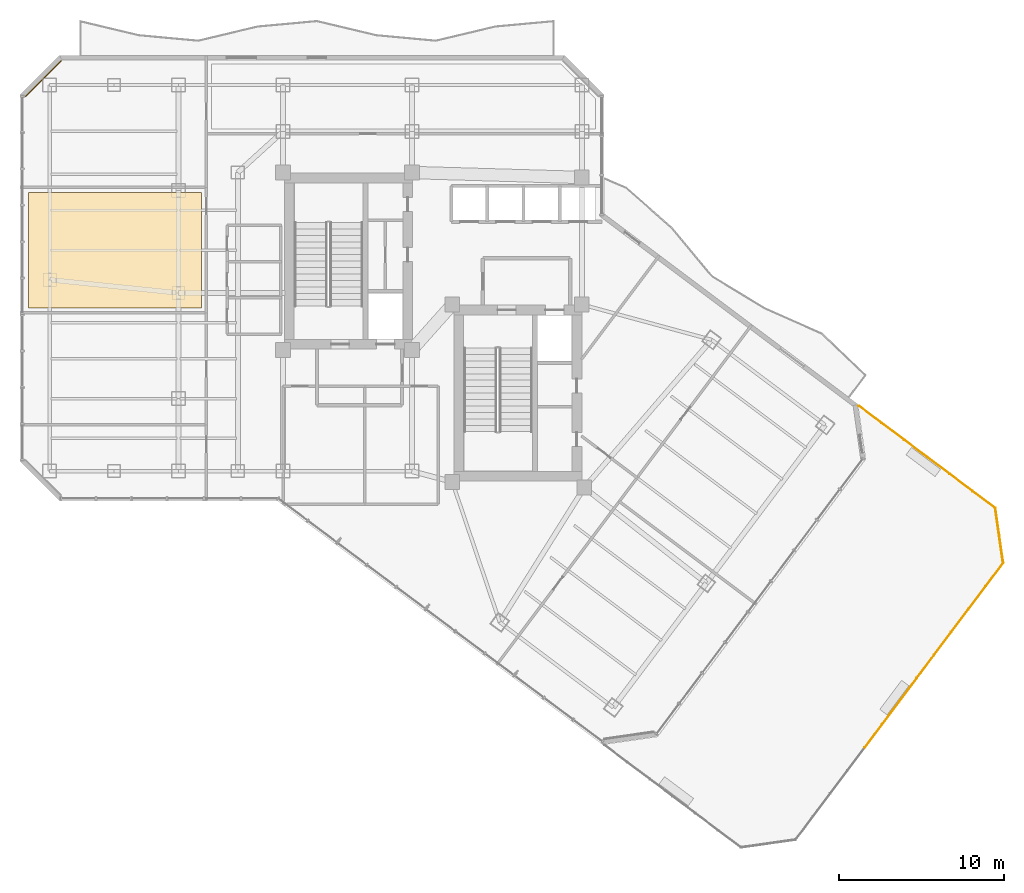
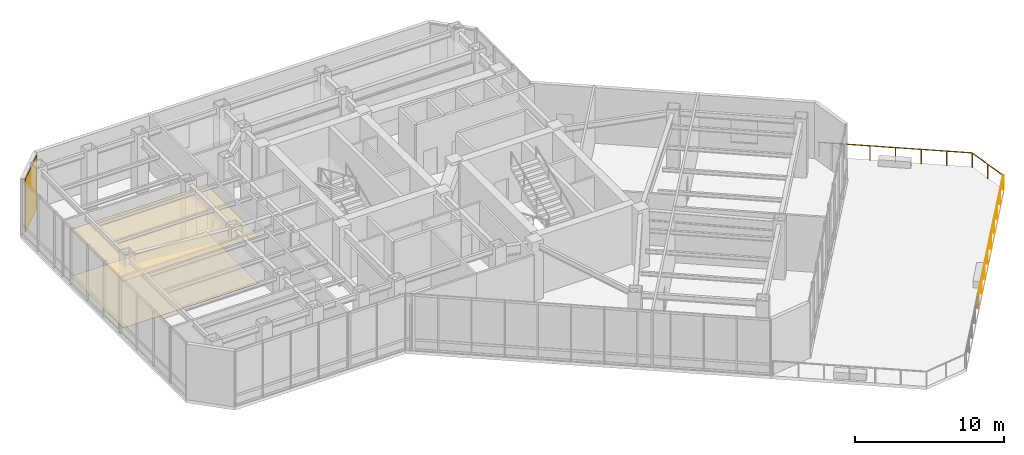
# One storey, part 28 of 30: 16 railings, 3 coverings.
"""IFC4 building model written with IfcOpenShell, lengths in metres."""

from ifc_helpers import new_model, si_unit, direction, frame, origin, origin_2d, place, context, subcontext, project, spatial, polyline, rectangle, circle, outline, extrude, material, layer, layer_set, type_object, element, save


model = new_model("IFC4")

# Units and contexts
model_context = context("Model", 3, precision=1e-05, world=origin(), true_north=direction((0.0, 1.0)))
body_context = subcontext(model_context, "Body", "Model", "MODEL_VIEW")
ifc_project = project(units=[si_unit("LENGTHUNIT", "METRE"), si_unit("AREAUNIT", "SQUARE_METRE"), si_unit("VOLUMEUNIT", "CUBIC_METRE"), si_unit("PLANEANGLEUNIT", "RADIAN"), si_unit("MASSUNIT", "GRAM", prefix="KILO")], contexts=[model_context])

# Site, building, storey
site_placement = place(None, origin())
site = spatial("IfcSite", under=ifc_project, at=site_placement, CompositionType="ELEMENT")
building_placement = place(site_placement, origin())
building = spatial("IfcBuilding", under=site, at=building_placement, Name="Hatsunagi Terrace Concourse", CompositionType="ELEMENT")
storey_placement = place(building_placement, frame((0.0, 0.0, 130.050048828125)))
storey = spatial("IfcBuildingStorey", under=building, at=storey_placement, Name="L34", CompositionType="ELEMENT", Elevation=130.050048828125)

# Coverings
ifc_material_1 = material(Name="Acoustic mineral board", Category="gypsum")
ifc_layer_1 = layer(ifc_material_1, 0.02001953125)
ifc_layer_set_1 = layer_set([ifc_layer_1], Name="AcousticMineralCeiling_20")
covering_type_1 = type_object("IfcCoveringType", Name="AcousticMineralCeiling_20", PredefinedType="CEILING", material=ifc_layer_set_1)
covering_1_placement = place(storey_placement, frame((0.0, 0.0, 3.829833984375)))
element("IfcCovering", 1, at=covering_1_placement, inside=storey, type_object=covering_type_1, Name="Suspended Ceiling L34-2", PredefinedType="CEILING", context=body_context, shape_type="SweptSolid", body=[
    extrude(outline(polyline([(10.1298828125, 35.10009765625), (20.60009765625, 35.10009765625), (20.60009765625, 42.10009765625), (10.1298828125, 42.10009765625), (10.1298828125, 35.10009765625)])), origin(), (0.0, 0.0, 1.0), 0.02001953125),
])
ifc_material_2 = material(Name="Hardwood timber", Category="wood")
ifc_layer_2 = layer(ifc_material_2, 0.014892578125)
ifc_layer_set_2 = layer_set([ifc_layer_2], Name="HardwoodTimberFlooring_15")
covering_type_2 = type_object("IfcCoveringType", Name="HardwoodTimberFlooring_15", PredefinedType="FLOORING", material=ifc_layer_set_2)
covering_2_placement = place(storey_placement, origin())
element("IfcCovering", 2, at=covering_2_placement, inside=storey, type_object=covering_type_2, Name="Finished Flooring L34-2", PredefinedType="FLOORING", context=body_context, shape_type="SweptSolid", body=[
    extrude(outline(polyline([(10.1298828125, 35.10009765625), (20.60009765625, 35.10009765625), (20.60009765625, 42.10009765625), (10.1298828125, 42.10009765625), (10.1298828125, 35.10009765625)])), origin(), (0.0, 0.0, 1.0), 0.014892578125),
])

# Railings
ifc_material_3 = material(Name="Stainless Steel SUS316 Post-and-Rail Guard", Category="steel")
ifc_layer_3 = layer(ifc_material_3, 0.080078125)
ifc_layer_set_3 = layer_set([ifc_layer_3], Name="TerracePlantedGuardRail_1200")
railing_type = type_object("IfcRailingType", Name="TerracePlantedGuardRail_1200", PredefinedType="GUARDRAIL", material=ifc_layer_set_3)
railing_1_placement = place(storey_placement, frame((60.44091796875, 29.157958984375, 0.010009765625)))
element("IfcRailing", 3, at=railing_1_placement, inside=storey, type_object=railing_type, Name="Sky Garden Guardrail GRD-02 TER-L34-1-1 #1", PredefinedType="GUARDRAIL", context=body_context, shape_type="SweptSolid", body=[
    extrude(circle(Radius=0.02392578125, at=origin_2d()), frame((0.0, 0.0, 1.17578125), z_axis=(0.799795460379, -0.600272622695, 0.0), x_axis=(0.600272622695, 0.799795460379, 0.0)), (0.0, 0.0, 1.0), 1.71923828125),
    extrude(circle(Radius=0.02099609375, at=origin_2d()), origin(), (0.0, 0.0, 1.0), 1.15185546875),
    extrude(circle(Radius=0.02099609375, at=origin_2d()), frame((1.375, -1.031982421875, 0.0)), (0.0, 0.0, 1.0), 1.15185546875),
])
railing_2_placement = place(storey_placement, frame((61.822998046875, 28.12109375, 0.010009765625)))
element("IfcRailing", 4, at=railing_2_placement, inside=storey, type_object=railing_type, Name="Sky Garden Guardrail GRD-02 TER-L34-1-1 #2", PredefinedType="GUARDRAIL", context=body_context, shape_type="SweptSolid", body=[
    extrude(circle(Radius=0.02392578125, at=origin_2d()), frame((0.0, 0.0, 1.17578125), z_axis=(0.8, -0.6, 0.0), x_axis=(0.6, 0.8, 0.0)), (0.0, 0.0, 1.0), 1.715087890625),
    extrude(circle(Radius=0.02099609375, at=origin_2d()), origin(), (0.0, 0.0, 1.0), 1.15185546875),
    extrude(circle(Radius=0.02099609375, at=origin_2d()), frame((1.3720703125, -1.029052734375, 0.0)), (0.0, 0.0, 1.0), 1.15185546875),
])
railing_3_placement = place(storey_placement, frame((63.201904296875, 27.0869140625, 0.010009765625)))
element("IfcRailing", 5, at=railing_3_placement, inside=storey, type_object=railing_type, Name="Sky Garden Guardrail GRD-02 TER-L34-1-1 #3", PredefinedType="GUARDRAIL", context=body_context, shape_type="SweptSolid", body=[
    extrude(circle(Radius=0.02392578125, at=origin_2d()), frame((0.0, 0.0, 1.17578125), z_axis=(0.799726700819, -0.600364226113, 0.0), x_axis=(0.600364226113, 0.799726700819, 0.0)), (0.0, 0.0, 1.0), 1.715576171875),
    extrude(circle(Radius=0.02099609375, at=origin_2d()), origin(), (0.0, 0.0, 1.0), 1.15185546875),
    extrude(circle(Radius=0.02099609375, at=origin_2d()), frame((1.3720703125, -1.030029296875, 0.0)), (0.0, 0.0, 1.0), 1.15185546875),
])
railing_4_placement = place(storey_placement, frame((64.580078125, 26.052978515625, 0.010009765625)))
element("IfcRailing", 6, at=railing_4_placement, inside=storey, type_object=railing_type, Name="Sky Garden Guardrail GRD-02 TER-L34-1-1 #4", PredefinedType="GUARDRAIL", context=body_context, shape_type="SweptSolid", body=[
    extrude(circle(Radius=0.02392578125, at=origin_2d()), frame((0.0, 0.0, 1.17578125), z_axis=(0.799675401804, -0.600432553873, 0.0), x_axis=(0.600432553873, 0.799675401804, 0.0)), (0.0, 0.0, 1.0), 1.715576171875),
    extrude(circle(Radius=0.02099609375, at=origin_2d()), origin(), (0.0, 0.0, 1.0), 1.15185546875),
    extrude(circle(Radius=0.02099609375, at=origin_2d()), frame((1.371826171875, -1.030029296875, 0.0)), (0.0, 0.0, 1.0), 1.15185546875),
])
railing_5_placement = place(storey_placement, frame((65.958984375, 25.01806640625, 0.010009765625)))
element("IfcRailing", 7, at=railing_5_placement, inside=storey, type_object=railing_type, Name="Sky Garden Guardrail GRD-02 TER-L34-1-1 #5", PredefinedType="GUARDRAIL", context=body_context, shape_type="SweptSolid", body=[
    extrude(circle(Radius=0.02392578125, at=origin_2d()), frame((0.0, 0.0, 1.17578125), z_axis=(0.8, -0.6, 0.0), x_axis=(0.6, 0.8, 0.0)), (0.0, 0.0, 1.0), 1.715087890625),
    extrude(circle(Radius=0.02099609375, at=origin_2d()), origin(), (0.0, 0.0, 1.0), 1.15185546875),
    extrude(circle(Radius=0.02099609375, at=origin_2d()), frame((1.3720703125, -1.029052734375, 0.0)), (0.0, 0.0, 1.0), 1.15185546875),
])
railing_6_placement = place(storey_placement, frame((67.337890625, 23.98388671875, 0.010009765625)))
element("IfcRailing", 8, at=railing_6_placement, inside=storey, type_object=railing_type, Name="Sky Garden Guardrail GRD-02 TER-L34-1-1 #6", PredefinedType="GUARDRAIL", context=body_context, shape_type="SweptSolid", body=[
    extrude(circle(Radius=0.02392578125, at=origin_2d()), frame((0.0, 0.0, 1.17578125), z_axis=(0.799795460379, -0.600272622695, 0.0), x_axis=(0.600272622695, 0.799795460379, 0.0)), (0.0, 0.0, 1.0), 1.71923828125),
    extrude(circle(Radius=0.02099609375, at=origin_2d()), origin(), (0.0, 0.0, 1.0), 1.15185546875),
    extrude(circle(Radius=0.02099609375, at=origin_2d()), frame((1.375, -1.031982421875, 0.0)), (0.0, 0.0, 1.0), 1.15185546875),
])
for number, where, name in (
    (9, (68.712890625, 22.951904296875, 0.010009765625), "Sky Garden Guardrail GRD-02 TER-L34-1-1 #7"),
    (10, (68.950927734375, 21.2890625, 0.010009765625), "Sky Garden Guardrail GRD-02 TER-L34-1-1 #8"),
):
    element("IfcRailing", number, at=place(storey_placement, frame(where)), inside=storey, type_object=railing_type, Name=name, PredefinedType="GUARDRAIL", context=body_context, shape_type="SweptSolid", body=[
        extrude(circle(Radius=0.02392578125, at=origin_2d()), frame((0.0, 0.0, 1.17578125), z_axis=(0.141707392031, -0.989908589236, 0.0), x_axis=(0.989908589236, 0.141707392031, 0.0)), (0.0, 0.0, 1.0), 1.6728515625),
        extrude(circle(Radius=0.02099609375, at=origin_2d()), origin(), (0.0, 0.0, 1.0), 1.15185546875),
        extrude(circle(Radius=0.02099609375, at=origin_2d()), frame((0.237060546875, -1.656005859375, 0.0)), (0.0, 0.0, 1.0), 1.15185546875),
    ])
railing_7_placement = place(storey_placement, frame((69.18798828125, 19.633056640625, 0.010009765625)))
element("IfcRailing", 11, at=railing_7_placement, inside=storey, type_object=railing_type, Name="Sky Garden Guardrail GRD-02 TER-L34-1-1 #9", PredefinedType="GUARDRAIL", context=body_context, shape_type="SweptSolid", body=[
    extrude(circle(Radius=0.02392578125, at=origin_2d()), frame((0.0, 0.0, 1.17578125), z_axis=(-0.600134475438, -0.799899125759, 0.0), x_axis=(0.799899125759, -0.600134475438, 0.0)), (0.0, 0.0, 1.0), 1.74267578125),
    extrude(circle(Radius=0.02099609375, at=origin_2d()), origin(), (0.0, 0.0, 1.0), 1.15185546875),
    extrude(circle(Radius=0.02099609375, at=origin_2d()), frame((-1.0458984375, -1.39404296875, 0.0)), (0.0, 0.0, 1.0), 1.15185546875),
])
railing_8_placement = place(storey_placement, frame((68.137939453125, 18.23291015625, 0.010009765625)))
element("IfcRailing", 12, at=railing_8_placement, inside=storey, type_object=railing_type, Name="Sky Garden Guardrail GRD-02 TER-L34-1-1 #10", PredefinedType="GUARDRAIL", context=body_context, shape_type="SweptSolid", body=[
    extrude(circle(Radius=0.02392578125, at=origin_2d()), frame((0.0, 0.0, 1.17578125), z_axis=(-0.600291963606, -0.799780944028, 0.0), x_axis=(0.799780944028, -0.600291963606, 0.0)), (0.0, 0.0, 1.0), 1.739013671875),
    extrude(circle(Radius=0.02099609375, at=origin_2d()), origin(), (0.0, 0.0, 1.0), 1.15185546875),
    extrude(circle(Radius=0.02099609375, at=origin_2d()), frame((-1.0439453125, -1.390869140625, 0.0)), (0.0, 0.0, 1.0), 1.15185546875),
])
railing_9_placement = place(storey_placement, frame((67.090087890625, 16.8349609375, 0.010009765625)))
element("IfcRailing", 13, at=railing_9_placement, inside=storey, type_object=railing_type, Name="Sky Garden Guardrail GRD-02 TER-L34-1-1 #11", PredefinedType="GUARDRAIL", context=body_context, shape_type="SweptSolid", body=[
    extrude(circle(Radius=0.02392578125, at=origin_2d()), frame((0.0, 0.0, 1.17578125), z_axis=(-0.600651431223, -0.799511011913, 0.0), x_axis=(0.799511011913, -0.600651431223, 0.0)), (0.0, 0.0, 1.0), 1.738525390625),
    extrude(circle(Radius=0.02099609375, at=origin_2d()), origin(), (0.0, 0.0, 1.0), 1.15185546875),
    extrude(circle(Radius=0.02099609375, at=origin_2d()), frame((-1.044189453125, -1.389892578125, 0.0)), (0.0, 0.0, 1.0), 1.15185546875),
])
railing_10_placement = place(storey_placement, frame((66.0419921875, 15.43798828125, 0.010009765625)))
element("IfcRailing", 14, at=railing_10_placement, inside=storey, type_object=railing_type, Name="Sky Garden Guardrail GRD-02 TER-L34-1-1 #12", PredefinedType="GUARDRAIL", context=body_context, shape_type="SweptSolid", body=[
    extrude(circle(Radius=0.02392578125, at=origin_2d()), frame((0.0, 0.0, 1.17578125), z_axis=(-0.600561649669, -0.799578454529, 0.0), x_axis=(0.799578454529, -0.600561649669, 0.0)), (0.0, 0.0, 1.0), 1.73828125),
    extrude(circle(Radius=0.02099609375, at=origin_2d()), origin(), (0.0, 0.0, 1.0), 1.15185546875),
    extrude(circle(Radius=0.02099609375, at=origin_2d()), frame((-1.0439453125, -1.389892578125, 0.0)), (0.0, 0.0, 1.0), 1.15185546875),
])
for number, where, name in (
    (15, (64.993896484375, 14.041015625, 0.010009765625), "Sky Garden Guardrail GRD-02 TER-L34-1-1 #13"),
    (16, (63.946044921875, 12.64404296875, 0.010009765625), "Sky Garden Guardrail GRD-02 TER-L34-1-1 #14"),
    (17, (62.89794921875, 11.2470703125, 0.010009765625), "Sky Garden Guardrail GRD-02 TER-L34-1-1 #15"),
):
    element("IfcRailing", number, at=place(storey_placement, frame(where)), inside=storey, type_object=railing_type, Name=name, PredefinedType="GUARDRAIL", context=body_context, shape_type="SweptSolid", body=[
        extrude(circle(Radius=0.02392578125, at=origin_2d()), frame((0.0, 0.0, 1.17578125), z_axis=(-0.600224569272, -0.799831523786, 0.0), x_axis=(0.799831523786, -0.600224569272, 0.0)), (0.0, 0.0, 1.0), 1.7392578125),
        extrude(circle(Radius=0.02099609375, at=origin_2d()), origin(), (0.0, 0.0, 1.0), 1.15185546875),
        extrude(circle(Radius=0.02099609375, at=origin_2d()), frame((-1.0439453125, -1.39111328125, 0.0)), (0.0, 0.0, 1.0), 1.15185546875),
    ])
railing_11_placement = place(storey_placement, frame((61.85009765625, 9.85009765625, 0.010009765625)))
element("IfcRailing", 18, at=railing_11_placement, inside=storey, type_object=railing_type, Name="Sky Garden Guardrail GRD-02 TER-L34-1-1 #16", PredefinedType="GUARDRAIL", context=body_context, shape_type="SweptSolid", body=[
    extrude(circle(Radius=0.02392578125, at=origin_2d()), frame((0.0, 0.0, 1.17578125), z_axis=(-0.600314357256, -0.799764135525, 0.0), x_axis=(0.799764135525, -0.600314357256, 0.0)), (0.0, 0.0, 1.0), 1.739501953125),
    extrude(circle(Radius=0.02099609375, at=origin_2d()), origin(), (0.0, 0.0, 1.0), 1.15185546875),
    extrude(circle(Radius=0.02099609375, at=origin_2d()), frame((-1.044189453125, -1.39111328125, 0.0)), (0.0, 0.0, 1.0), 1.15185546875),
])

# Covering
ifc_material_4 = material(Name="Unglazed Warm Terracotta Rainscreen Tile", Category="masonry")
ifc_layer_4 = layer(ifc_material_4, 0.044921875)
ifc_layer_set_4 = layer_set([ifc_layer_4], Name="TerracottaRainscreenCladding_45")
covering_type_3 = type_object("IfcCoveringType", Name="TerracottaRainscreenCladding_45", PredefinedType="CLADDING", material=ifc_layer_set_4)
covering_3_placement = place(storey_placement, frame((11.013916015625, 48.986083984375, 0.099853515625), z_axis=(0.0, 0.0, 1.0), x_axis=(0.707106781187, 0.707106781187, 0.0)))
element("IfcCovering", 19, at=covering_3_placement, inside=storey, type_object=covering_type_3, Name="Terracotta Rainscreen Cladding L34-10", PredefinedType="CLADDING", context=body_context, shape_type="SweptSolid", body=[
    extrude(rectangle(XDim=3.0380859375, YDim=0.044921875, at=origin_2d()), origin(), (0.0, 0.0, 1.0), 4.35009765625),
])

save(model, "model.ifc")
